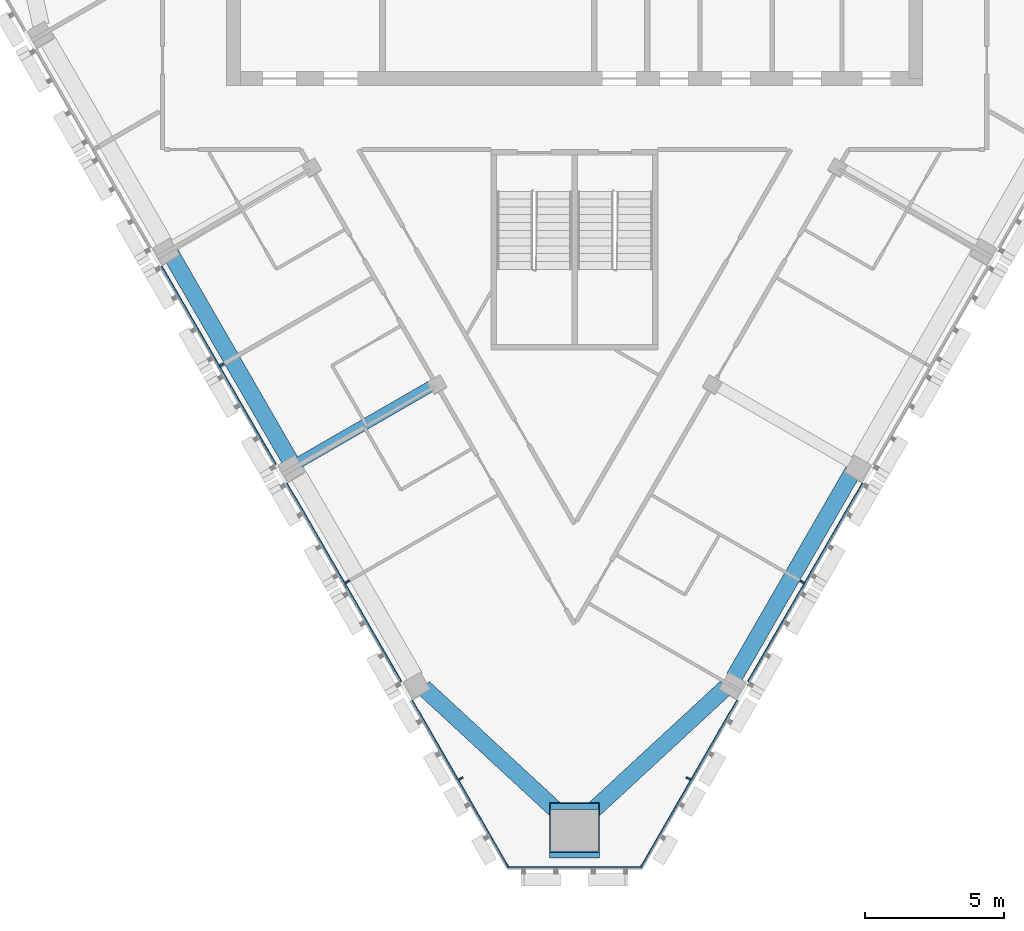
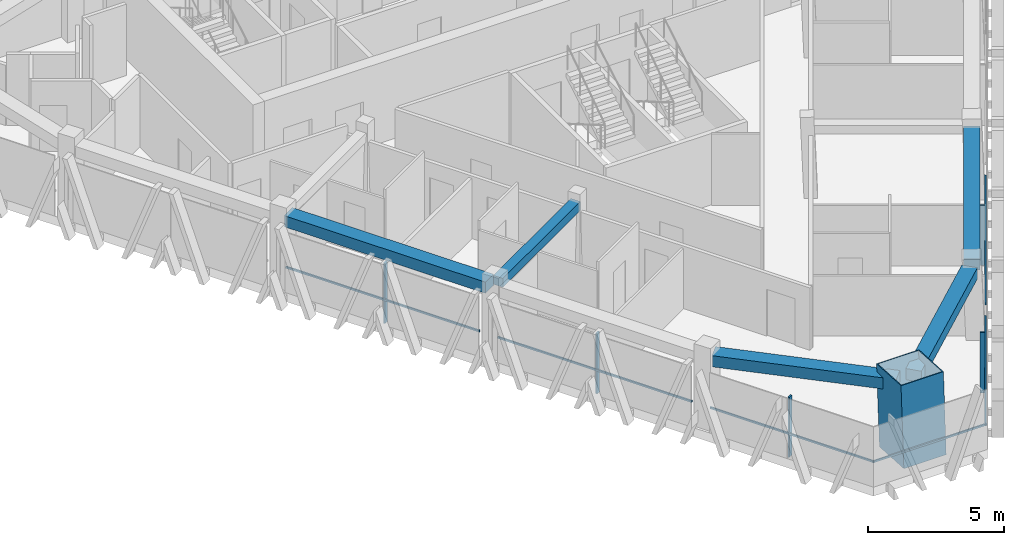
# One storey, part 2 of 14: 12 members, 5 beams, 3 elements without a shape of their own.
"""IFC4 building model written with IfcOpenShell, lengths in metres."""

from ifc_helpers import new_model, si_unit, direction, frame, origin, origin_2d, place, context, subcontext, project, spatial, rectangle, hollow_rectangle, extrude, material, layer, layer_set, material_profile, profile_set, type_object, element, aggregate, save


model = new_model("IFC4")

# Units and contexts
model_context = context("Model", 3, precision=1e-05, world=origin(), true_north=direction((0.0, 1.0)))
body_context = subcontext(model_context, "Body", "Model", "MODEL_VIEW")
ifc_project = project(units=[si_unit("LENGTHUNIT", "METRE"), si_unit("AREAUNIT", "SQUARE_METRE"), si_unit("VOLUMEUNIT", "CUBIC_METRE"), si_unit("PLANEANGLEUNIT", "RADIAN"), si_unit("MASSUNIT", "GRAM", prefix="KILO")], contexts=[model_context])

# Site, building, storey
site_placement = place(None, origin())
site = spatial("IfcSite", under=ifc_project, at=site_placement, CompositionType="ELEMENT")
building_placement = place(site_placement, origin())
building = spatial("IfcBuilding", under=site, at=building_placement, Name="Altiplano Prism Tower", CompositionType="ELEMENT")
storey_placement = place(building_placement, frame((0.0, 0.0, 268.0)))
storey = spatial("IfcBuildingStorey", under=building, at=storey_placement, Name="L69", CompositionType="ELEMENT", Elevation=268.0)

# Curtain wall, members
ifc_material_1 = material(Name="Aluminium and glass", Category="aluminium")
ifc_layer = layer(ifc_material_1, 0.280029296875)
ifc_layer_set = layer_set([ifc_layer], Name="Aluminium and glass")
curtain_wall_type = type_object("IfcCurtainWallType", Name="CW1 typical co-living unitised curtain wall", PredefinedType="NOTDEFINED", material=ifc_layer_set)
curtain_wall_1_placement = place(storey_placement, origin())
curtain_wall_1 = element("IfcCurtainWall", 1, at=curtain_wall_1_placement, inside=storey, type_object=curtain_wall_type, Name="CW1 curtain wall south-west face L69", PredefinedType="NOTDEFINED")
ifc_material_2 = material(Name="Aluminium", Category="aluminium")
ifc_material_profile_1 = material_profile(ifc_material_2, rectangle(XDim=0.179931640625, YDim=0.06494140625, at=origin_2d()), Name="CW1 mullion 65 x 180")
ifc_profile_set_1 = profile_set([ifc_material_profile_1], Name="Aluminium")
member_type_1 = type_object("IfcMemberType", Name="CW1 mullion 65 x 180", PredefinedType="MULLION", material=ifc_profile_set_1)
member_1_placement = place(storey_placement, frame((72.332763671875, 82.869873046875, 0.0), z_axis=(0.0, 0.0, 1.0), x_axis=(0.866025408191, 0.499999992367, 0.0)))
member_1 = element("IfcMember", 2, at=member_1_placement, type_object=member_type_1, Name="CW1 mullion", PredefinedType="MULLION", context=body_context, shape_type="SweptSolid", body=[
    extrude(rectangle(XDim=0.179931640625, YDim=0.06494140625, at=origin_2d()), origin(), (0.0, 0.0, 1.0), 2.699951171875),
])
member_2_placement = place(storey_placement, frame((76.832763671875, 75.07568359375, 0.0), z_axis=(0.0, 0.0, 1.0), x_axis=(0.866025408191, 0.499999992367, 0.0)))
member_2 = element("IfcMember", 3, at=member_2_placement, type_object=member_type_1, Name="CW1 mullion", PredefinedType="MULLION", context=body_context, shape_type="SweptSolid", body=[
    extrude(rectangle(XDim=0.179931640625, YDim=0.06494140625, at=origin_2d()), origin(), (0.0, 0.0, 1.0), 2.699951171875),
])
member_3_placement = place(storey_placement, frame((80.911865234375, 68.010498046875, 0.0), z_axis=(0.0, 0.0, 1.0), x_axis=(0.866025408191, 0.499999992367, 0.0)))
member_3 = element("IfcMember", 4, at=member_3_placement, type_object=member_type_1, Name="CW1 mullion", PredefinedType="MULLION", context=body_context, shape_type="SweptSolid", body=[
    extrude(rectangle(XDim=0.179931640625, YDim=0.06494140625, at=origin_2d()), origin(), (0.0, 0.0, 1.0), 2.699951171875),
])

curtain_wall_2_placement = place(storey_placement, origin())
curtain_wall_2 = element("IfcCurtainWall", 5, at=curtain_wall_2_placement, inside=storey, type_object=curtain_wall_type, Name="CW1 curtain wall south-east face L69", PredefinedType="NOTDEFINED")
member_4_placement = place(storey_placement, frame((89.088134765625, 68.010498046875, 0.0), z_axis=(0.0, 0.0, 1.0), x_axis=(-0.866025408191, 0.499999992367, 0.0)))
member_4 = element("IfcMember", 6, at=member_4_placement, type_object=member_type_1, Name="CW1 mullion", PredefinedType="MULLION", context=body_context, shape_type="SweptSolid", body=[
    extrude(rectangle(XDim=0.179931640625, YDim=0.06494140625, at=origin_2d()), origin(), (0.0, 0.0, 1.0), 2.699951171875),
])
member_5_placement = place(storey_placement, frame((93.167236328125, 75.07568359375, 0.0), z_axis=(0.0, 0.0, 1.0), x_axis=(-0.866025408191, 0.499999992367, 0.0)))
member_5 = element("IfcMember", 7, at=member_5_placement, type_object=member_type_1, Name="CW1 mullion", PredefinedType="MULLION", context=body_context, shape_type="SweptSolid", body=[
    extrude(rectangle(XDim=0.179931640625, YDim=0.06494140625, at=origin_2d()), origin(), (0.0, 0.0, 1.0), 2.699951171875),
])

# Member
ifc_material_profile_2 = material_profile(ifc_material_2, rectangle(XDim=0.06005859375, YDim=0.080078125, at=origin_2d()), Name="CW1 transom 80 x 60")
ifc_profile_set_2 = profile_set([ifc_material_profile_2], Name="Aluminium")
member_type_2 = type_object("IfcMemberType", Name="CW1 transom 80 x 60", PredefinedType="USERDEFINED", material=ifc_profile_set_2)
member_6_placement = place(storey_placement, frame((70.154296875, 86.4033203125, 1.10009765625), z_axis=(0.500004415232, -0.866022854634, 0.0), x_axis=(0.866022854634, 0.500004415232, 0.0)))
member_6 = element("IfcMember", 8, at=member_6_placement, type_object=member_type_2, Name="CW1 transom", ObjectType="TRANSOM", PredefinedType="USERDEFINED", context=body_context, shape_type="SweptSolid", body=[
    extrude(rectangle(XDim=0.06005859375, YDim=0.080078125, at=origin_2d()), origin(), (0.0, 0.0, 1.0), 8.2197265625),
])

member_7_placement = place(storey_placement, frame((74.654296875, 78.609130859375, 1.10009765625), z_axis=(0.499991554064, -0.866030279993, 0.0), x_axis=(0.866030279993, 0.499991554064, 0.0)))
member_7 = element("IfcMember", 9, at=member_7_placement, type_object=member_type_2, Name="CW1 transom", ObjectType="TRANSOM", PredefinedType="USERDEFINED", context=body_context, shape_type="SweptSolid", body=[
    extrude(rectangle(XDim=0.06005859375, YDim=0.080078125, at=origin_2d()), origin(), (0.0, 0.0, 1.0), 8.219970703125),
])

member_8_placement = place(storey_placement, frame((79.154296875, 70.81494140625, 1.10009765625), z_axis=(0.499995519194, -0.866027990764, 0.0), x_axis=(0.866027990764, 0.499995519194, 0.0)))
member_8 = element("IfcMember", 10, at=member_8_placement, type_object=member_type_2, Name="CW1 transom", ObjectType="TRANSOM", PredefinedType="USERDEFINED", context=body_context, shape_type="SweptSolid", body=[
    extrude(rectangle(XDim=0.06005859375, YDim=0.080078125, at=origin_2d()), origin(), (0.0, 0.0, 1.0), 6.96533203125),
])

aggregate(curtain_wall_1, [member_1, member_6, member_2, member_7, member_3, member_8])

# Curtain wall, member
curtain_wall_3_placement = place(storey_placement, origin())
curtain_wall_3 = element("IfcCurtainWall", 11, at=curtain_wall_3_placement, inside=storey, type_object=curtain_wall_type, Name="CW1 curtain wall south chamfer L69", PredefinedType="NOTDEFINED")
member_9_placement = place(storey_placement, frame((82.576416015625, 64.817626953125, 1.10009765625), z_axis=(1.0, 0.0, 0.0), x_axis=(0.0, 1.0, 0.0)))
member_9 = element("IfcMember", 12, at=member_9_placement, type_object=member_type_2, Name="CW1 transom", ObjectType="TRANSOM", PredefinedType="USERDEFINED", context=body_context, shape_type="SweptSolid", body=[
    extrude(rectangle(XDim=0.06005859375, YDim=0.080078125, at=origin_2d()), origin(), (0.0, 0.0, 1.0), 4.84716796875),
])
aggregate(curtain_wall_3, [member_9])

# Member
member_10_placement = place(storey_placement, frame((87.363037109375, 64.78271484375, 1.10009765625), z_axis=(0.499995519194, 0.866027990764, 0.0), x_axis=(-0.866027990764, 0.499995519194, 0.0)))
member_10 = element("IfcMember", 13, at=member_10_placement, type_object=member_type_2, Name="CW1 transom", ObjectType="TRANSOM", PredefinedType="USERDEFINED", context=body_context, shape_type="SweptSolid", body=[
    extrude(rectangle(XDim=0.06005859375, YDim=0.080078125, at=origin_2d()), origin(), (0.0, 0.0, 1.0), 6.96533203125),
])

member_11_placement = place(storey_placement, frame((91.23583984375, 71.490478515625, 1.10009765625), z_axis=(0.499991554064, 0.866030279993, 0.0), x_axis=(-0.866030279993, 0.499991554064, 0.0)))
member_11 = element("IfcMember", 14, at=member_11_placement, type_object=member_type_2, Name="CW1 transom", ObjectType="TRANSOM", PredefinedType="USERDEFINED", context=body_context, shape_type="SweptSolid", body=[
    extrude(rectangle(XDim=0.06005859375, YDim=0.080078125, at=origin_2d()), origin(), (0.0, 0.0, 1.0), 8.219970703125),
])

aggregate(curtain_wall_2, [member_4, member_10, member_5, member_11])

# Beams
ifc_material_3 = material(Name="Concrete C60/75", Category="concrete")
ifc_material_profile_3 = material_profile(ifc_material_3, rectangle(XDim=0.60009765625, YDim=0.5, at=origin_2d()), Name="Edge beam 600x500")
ifc_profile_set_3 = profile_set([ifc_material_profile_3], Name="Concrete C60/75")
beam_type_1 = type_object("IfcBeamType", Name="Edge beam 600x500", PredefinedType="SPANDREL", material=ifc_profile_set_3)
beam_1_placement = place(storey_placement, frame((70.5029296875, 86.83642578125, 2.949951171875), z_axis=(0.499994660107, -0.866028486751, 0.0), x_axis=(0.866028486751, 0.499994660107, 0.0)))
element("IfcBeam", 15, at=beam_1_placement, inside=storey, type_object=beam_type_1, Name="Edge beam P12-P13 L70", PredefinedType="SPANDREL", context=body_context, shape_type="SweptSolid", body=[
    extrude(rectangle(XDim=0.60009765625, YDim=0.5, at=origin_2d()), origin(), (0.0, 0.0, 1.0), 8.5400390625),
])
for number, where, z_axis, x_axis, name in (
    (16, (79.569091796875, 71.27978515625, 2.949951171875), (0.734223809494, -0.678907502958, 0.0), (0.678907502958, 0.734223809494, 0.0), "Edge beam P14-M1 L70"),
    (17, (85.330322265625, 66.5634765625, 2.949951171875), (0.734223809494, 0.678907502958, 0.0), (-0.678907502958, 0.734223809494, 0.0), "Edge beam M1-P21 L70"),
):
    element("IfcBeam", number, at=place(storey_placement, frame(where, z_axis=z_axis, x_axis=x_axis)), inside=storey, type_object=beam_type_1, Name=name, PredefinedType="SPANDREL", context=body_context, shape_type="SweptSolid", body=[
        extrude(rectangle(XDim=0.60009765625, YDim=0.5, at=origin_2d()), origin(), (0.0, 0.0, 1.0), 6.947021484375),
    ])
beam_2_placement = place(storey_placement, frame((90.72705078125, 71.646240234375, 2.949951171875), z_axis=(0.499994660107, 0.866028486751, 0.0), x_axis=(-0.866028486751, 0.499994660107, 0.0)))
element("IfcBeam", 18, at=beam_2_placement, inside=storey, type_object=beam_type_1, Name="Edge beam P21-P22 L70", PredefinedType="SPANDREL", context=body_context, shape_type="SweptSolid", body=[
    extrude(rectangle(XDim=0.60009765625, YDim=0.5, at=origin_2d()), origin(), (0.0, 0.0, 1.0), 8.5400390625),
])

# Member
ifc_material_4 = material(Name="Steel S460", Category="steel")
ifc_material_profile_4 = material_profile(ifc_material_4, hollow_rectangle(XDim=1.800048828125, YDim=1.800048828125, WallThickness=0.0400390625, at=origin_2d()), Name="Mega column tube 1800")
ifc_profile_set_4 = profile_set([ifc_material_profile_4], Name="Steel S460")
member_type_3 = type_object("IfcMemberType", Name="Mega column tube 1800", PredefinedType="POST", material=ifc_profile_set_4)
member_12_placement = place(storey_placement, frame((85.0, 66.047607421875, 0.0), z_axis=(0.0, 0.058356907999, 0.998295783467), x_axis=(-1.0, 0.0, 0.0)))
element("IfcMember", 19, at=member_12_placement, inside=storey, type_object=member_type_3, Name="Mega column tube M1 L69", PredefinedType="POST", context=body_context, shape_type="SweptSolid", body=[
    extrude(hollow_rectangle(XDim=1.800048828125, YDim=1.800048828125, WallThickness=0.0400390625, at=origin_2d()), origin(), (0.0, 0.0, 1.0), 3.606201171875),
])

# Beam
ifc_material_profile_5 = material_profile(ifc_material_3, rectangle(XDim=0.39990234375, YDim=0.39990234375, at=origin_2d()), Name="Tie beam 400x400")
ifc_profile_set_5 = profile_set([ifc_material_profile_5], Name="Concrete C60/75")
beam_type_2 = type_object("IfcBeamType", Name="Tie beam 400x400", PredefinedType="BEAM", material=ifc_profile_set_5)
beam_3_placement = place(storey_placement, frame((80.014892578125, 82.201416015625, 3.0), z_axis=(-0.866029822496, -0.499992346489, 0.0), x_axis=(0.499992346489, -0.866029822496, 0.0)))
element("IfcBeam", 20, at=beam_3_placement, inside=storey, type_object=beam_type_2, Name="Tie beam I13 L70", PredefinedType="BEAM", context=body_context, shape_type="SweptSolid", body=[
    extrude(rectangle(XDim=0.39990234375, YDim=0.39990234375, at=origin_2d()), origin(), (0.0, 0.0, 1.0), 5.68994140625),
])

save(model, "model.ifc")
